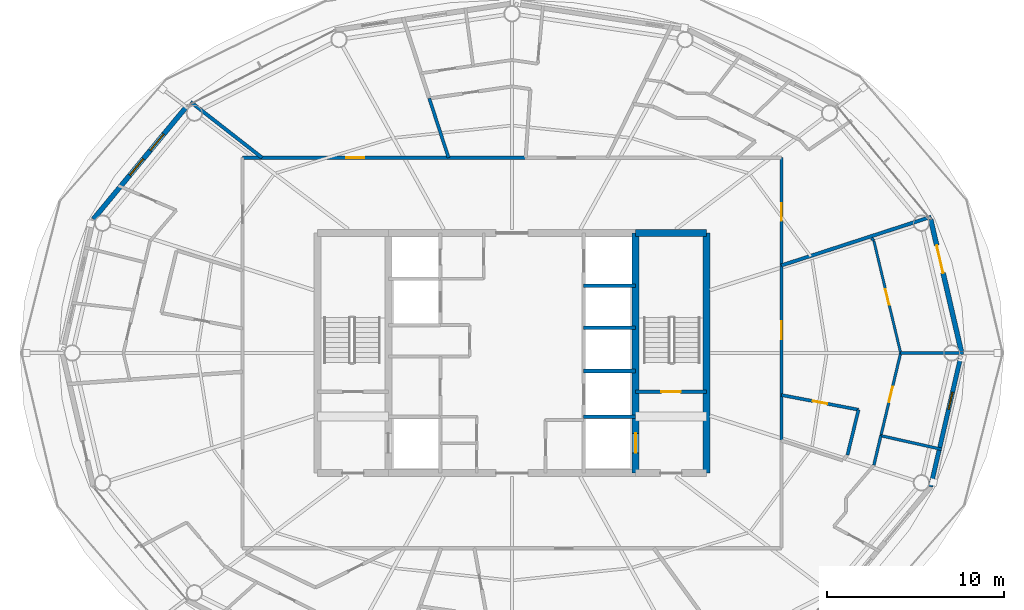
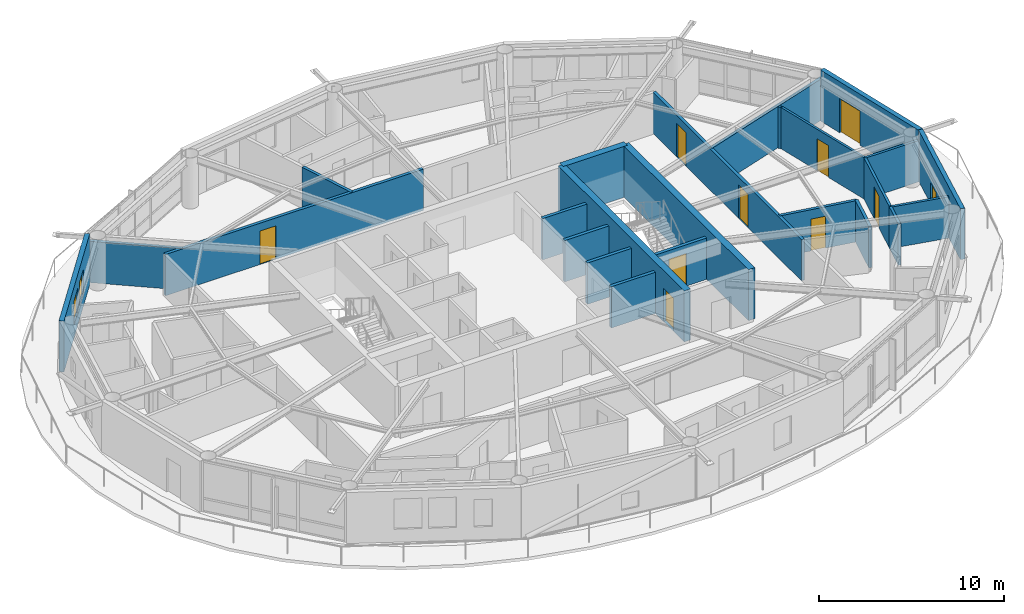
# One storey, part 18 of 23: 24 walls, 9 doors, 3 windows, 12 openings.
"""IFC4 building model written with IfcOpenShell, lengths in metres."""

from ifc_helpers import new_model, si_unit, direction, frame, frame_2d, origin, place, context, subcontext, project, spatial, rectangle, extrude, material, layer, layer_set, type_object, element, fill, save


model = new_model("IFC4")

# Units and contexts
model_context = context("Model", 3, precision=1e-05, world=origin(), true_north=direction((0.0, 1.0)))
body_context = subcontext(model_context, "Body", "Model", "MODEL_VIEW")
ifc_project = project(units=[si_unit("LENGTHUNIT", "METRE"), si_unit("AREAUNIT", "SQUARE_METRE"), si_unit("VOLUMEUNIT", "CUBIC_METRE"), si_unit("PLANEANGLEUNIT", "RADIAN"), si_unit("MASSUNIT", "GRAM", prefix="KILO")], contexts=[model_context])

# Site, building, storey
site_placement = place(None, origin())
site = spatial("IfcSite", under=ifc_project, at=site_placement, CompositionType="ELEMENT")
building_placement = place(site_placement, origin())
building = spatial("IfcBuilding", under=site, at=building_placement, Name="Sarneth Arch Tower", CompositionType="ELEMENT")
storey_placement = place(building_placement, frame((0.0, 0.0, 220.800048828125)))
storey = spatial("IfcBuildingStorey", under=building, at=storey_placement, Name="L56", CompositionType="ELEMENT", Elevation=220.800048828125)

# Walls
ifc_material_1 = material(Name="Concrete C50/60", Category="concrete")
ifc_layer_1 = layer(ifc_material_1, 0.39990234375)
ifc_layer_set_1 = layer_set([ifc_layer_1], Name="Concrete C50/60")
wall_type_1 = type_object("IfcWallType", Name="WALL-CORE-400", PredefinedType="SHEAR", material=ifc_layer_set_1)
wall_1_placement = place(storey_placement, frame((55.0, 48.800048828125, 0.0), z_axis=(0.0, 0.0, 1.0), x_axis=(1.0, 0.0, 0.0)))
element("IfcWall", 1, at=wall_1_placement, inside=storey, type_object=wall_type_1, Name="L56 Core shear wall N-E", PredefinedType="SHEAR", context=body_context, shape_type="SweptSolid", body=[
    extrude(rectangle(XDim=4.0, YDim=0.39990234375, at=frame_2d((2.0, 0.0))), origin(), (0.0, 0.0, 1.0), 3.35986328125),
])
wall_2_placement = place(storey_placement, frame((59.0, 35.199951171875, 0.0), z_axis=(0.0, 0.0, 1.0), x_axis=(0.0, 1.0, 0.0)))
element("IfcWall", 2, at=wall_2_placement, inside=storey, type_object=wall_type_1, Name="L56 Core shear wall E", PredefinedType="SHEAR", context=body_context, shape_type="SweptSolid", body=[
    extrude(rectangle(XDim=13.60009765625, YDim=0.39990234375, at=frame_2d((6.800048828125, 0.0))), origin(), (0.0, 0.0, 1.0), 3.35986328125),
])

# Wall, opening, door
wall_3_placement = place(storey_placement, frame((55.0, 35.199951171875, 0.0), z_axis=(0.0, 0.0, 1.0), x_axis=(0.0, 1.0, 0.0)))
wall_3 = element("IfcWall", 3, at=wall_3_placement, inside=storey, type_object=wall_type_1, Name="L56 Core shear wall WEB-E", PredefinedType="SHEAR", context=body_context, shape_type="SweptSolid", body=[
    extrude(rectangle(XDim=13.60009765625, YDim=0.39990234375, at=frame_2d((6.800048828125, 0.0))), origin(), (0.0, 0.0, 1.0), 3.35986328125),
])
opening_1_placement = place(wall_3_placement, frame((1.14990234375, 0.0, 0.0)))
opening_1 = element("IfcOpeningElement", 4, at=opening_1_placement, cuts=wall_3, Name="Opening LD-1", PredefinedType="OPENING", context=body_context, shape_type="SweptSolid", body=[
    extrude(rectangle(XDim=1.10009765625, YDim=2.199951171875, at=frame_2d((0.550048828125, 1.10009765625))), frame((0.0, 0.2099609375, 0.0), z_axis=(0.0, -1.0, 0.0), x_axis=(1.0, 0.0, 0.0)), (0.0, 0.0, 1.0), 0.419921875),
])
ifc_material_2 = material(Name="Brushed Stainless Steel 304 lift landing door", Category="steel")
door_type_1 = type_object("IfcDoorType", Name="DR-LIFT-SLIDE-1100", OperationType="SLIDING_TO_LEFT", PredefinedType="DOOR", material=ifc_material_2)
door_1_placement = place(opening_1_placement, origin())
door_1 = element("IfcDoor", 5, at=door_1_placement, inside=storey, type_object=door_type_1, Name="L56 Firefighting lift landing door FL-2", OperationType="SLIDING_TO_RIGHT", OverallHeight=2.199951171875, OverallWidth=1.10009765625, PredefinedType="DOOR", context=body_context, shape_type="SweptSolid", body=[
    extrude(rectangle(XDim=1.10009765625, YDim=2.199951171875, at=frame_2d((0.550048828125, 1.10009765625))), frame((0.0, 0.02490234375, 0.0), z_axis=(0.0, -1.0, 0.0), x_axis=(1.0, 0.0, 0.0)), (0.0, 0.0, 1.0), 0.050048828125),
])
fill(opening_1, door_1)

ifc_material_3 = material(Name="Double steel-stud corridor fire wall", Category="steel")
ifc_layer_2 = layer(ifc_material_3, 0.18994140625)
ifc_layer_set_2 = layer_set([ifc_layer_2], Name="Double steel-stud corridor fire wall")
wall_type_2 = type_object("IfcWallType", Name="WALL-CORR-190", PredefinedType="PARTITIONING", material=ifc_layer_set_2)
wall_4_placement = place(storey_placement, frame((32.75, 53.050048828125, 0.0), z_axis=(0.0, 0.0, 1.0), x_axis=(1.0, 0.0, 0.0)))
wall_4 = element("IfcWall", 6, at=wall_4_placement, inside=storey, type_object=wall_type_2, Name="L56 Interior partition W-L56-TP-006", PredefinedType="PARTITIONING", context=body_context, shape_type="SweptSolid", body=[
    extrude(rectangle(XDim=16.0546875, YDim=0.18994140625, at=frame_2d((8.02734375, 0.0))), origin(), (0.0, 0.0, 1.0), 2.719970703125),
])
opening_2_placement = place(wall_4_placement, frame((5.8740234375, 0.0, 0.0)))
opening_2 = element("IfcOpeningElement", 7, at=opening_2_placement, cuts=wall_4, Name="Opening FD-08", PredefinedType="OPENING", context=body_context, shape_type="SweptSolid", body=[
    extrude(rectangle(XDim=1.0, YDim=2.199951171875, at=frame_2d((0.5, 1.10009765625))), frame((0.0, 0.10498046875, 0.0), z_axis=(0.0, -1.0, 0.0), x_axis=(1.0, 0.0, 0.0)), (0.0, 0.0, 1.0), 0.2099609375),
])
ifc_material_4 = material(Name="Hardwood timber acoustic fire door", Category="wood")
door_type_2 = type_object("IfcDoorType", Name="DR-FD60-1000", OperationType="SINGLE_SWING_LEFT", PredefinedType="DOOR", material=ifc_material_4)
door_2_placement = place(opening_2_placement, origin())
door_2 = element("IfcDoor", 8, at=door_2_placement, inside=storey, type_object=door_type_2, Name="L56 Interior door DR-L56-RAMN-03", OperationType="SINGLE_SWING_RIGHT", OverallHeight=2.199951171875, OverallWidth=1.0, PredefinedType="DOOR", context=body_context, shape_type="SweptSolid", body=[
    extrude(rectangle(XDim=1.0, YDim=2.199951171875, at=frame_2d((0.5, 1.10009765625))), frame((0.0, 0.02490234375, 0.0), z_axis=(0.0, -1.0, 0.0), x_axis=(1.0, 0.0, 0.0)), (0.0, 0.0, 1.0), 0.050048828125),
])
fill(opening_2, door_2)

# Wall, openings, doors
wall_5_placement = place(storey_placement, frame((63.25, 53.050048828125, 0.0), z_axis=(0.0, 0.0, 1.0), x_axis=(0.0, -1.0, 0.0)))
wall_5 = element("IfcWall", 9, at=wall_5_placement, inside=storey, type_object=wall_type_2, Name="L56 Interior partition W-L56-TP-019", PredefinedType="PARTITIONING", context=body_context, shape_type="SweptSolid", body=[
    extrude(rectangle(XDim=16.03857421875, YDim=0.18994140625, at=frame_2d((8.019287109375, 0.0))), origin(), (0.0, 0.0, 1.0), 2.719970703125),
])
opening_3_placement = place(wall_5_placement, frame((9.2626953125, 0.0, 0.0)))
opening_3 = element("IfcOpeningElement", 10, at=opening_3_placement, cuts=wall_5, Name="Opening FD-08", PredefinedType="OPENING", context=body_context, shape_type="SweptSolid", body=[
    extrude(rectangle(XDim=1.0, YDim=2.199951171875, at=frame_2d((0.5, 1.10009765625))), frame((0.0, 0.10498046875, 0.0), z_axis=(0.0, -1.0, 0.0), x_axis=(1.0, 0.0, 0.0)), (0.0, 0.0, 1.0), 0.2099609375),
])
opening_4_placement = place(wall_5_placement, frame((2.564208984375, 0.0, 0.0)))
opening_4 = element("IfcOpeningElement", 11, at=opening_4_placement, cuts=wall_5, Name="Opening FD-08", PredefinedType="OPENING", context=body_context, shape_type="SweptSolid", body=[
    extrude(rectangle(XDim=1.0, YDim=2.199951171875, at=frame_2d((0.5, 1.10009765625))), frame((0.0, 0.10498046875, 0.0), z_axis=(0.0, -1.0, 0.0), x_axis=(1.0, 0.0, 0.0)), (0.0, 0.0, 1.0), 0.2099609375),
])
door_3_placement = place(opening_3_placement, origin())
door_3 = element("IfcDoor", 12, at=door_3_placement, inside=storey, type_object=door_type_2, Name="L56 Interior door DR-L56-U7-ENT", OperationType="SINGLE_SWING_LEFT", OverallHeight=2.199951171875, OverallWidth=1.0, PredefinedType="DOOR", context=body_context, shape_type="SweptSolid", body=[
    extrude(rectangle(XDim=1.0, YDim=2.199951171875, at=frame_2d((0.5, 1.10009765625))), frame((0.0, 0.02490234375, 0.0), z_axis=(0.0, -1.0, 0.0), x_axis=(1.0, 0.0, 0.0)), (0.0, 0.0, 1.0), 0.050048828125),
])
fill(opening_3, door_3)
door_4_placement = place(opening_4_placement, origin())
door_4 = element("IfcDoor", 13, at=door_4_placement, inside=storey, type_object=door_type_2, Name="L56 Interior door DR-L56-U1-ENT", OperationType="SINGLE_SWING_LEFT", OverallHeight=2.199951171875, OverallWidth=1.0, PredefinedType="DOOR", context=body_context, shape_type="SweptSolid", body=[
    extrude(rectangle(XDim=1.0, YDim=2.199951171875, at=frame_2d((0.5, 1.10009765625))), frame((0.0, 0.02490234375, 0.0), z_axis=(0.0, -1.0, 0.0), x_axis=(1.0, 0.0, 0.0)), (0.0, 0.0, 1.0), 0.050048828125),
])
fill(opening_4, door_4)

# Wall, opening, window
ifc_material_5 = material(Name="Extruded terracotta rainscreen on Concrete C40/50 backing", Category="masonry")
ifc_layer_3 = layer(ifc_material_5, 0.25)
ifc_layer_set_3 = layer_set([ifc_layer_3], Name="Extruded terracotta rainscreen on Concrete C40/50 backing")
wall_type_3 = type_object("IfcWallType", Name="WALL-EXT-SPAND-250", PredefinedType="SOLIDWALL", material=ifc_layer_set_3)
wall_6_placement = place(storey_placement, frame((71.69384765625, 34.430419921875, 0.0), z_axis=(0.0, 0.0, 1.0), x_axis=(0.225635078214, 0.974211892495, 0.0)))
wall_6 = element("IfcWall", 14, at=wall_6_placement, inside=storey, type_object=wall_type_3, Name="L56 Terracotta perimeter wall 16", PredefinedType="SOLIDWALL", context=body_context, shape_type="SweptSolid", body=[
    extrude(rectangle(XDim=7.77001953125, YDim=0.25, at=frame_2d((3.885009765625, 0.0))), origin(), (0.0, 0.0, 1.0), 3.35986328125),
])
opening_5_placement = place(wall_6_placement, frame((4.493896484375, 0.0, 0.35009765625)))
opening_5 = element("IfcOpeningElement", 15, at=opening_5_placement, cuts=wall_6, Name="Opening W-14", PredefinedType="OPENING", context=body_context, shape_type="SweptSolid", body=[
    extrude(rectangle(XDim=1.0, YDim=1.050048828125, at=frame_2d((0.5, 0.52490234375))), frame((0.0, 0.135009765625, 0.0), z_axis=(0.0, -1.0, 0.0), x_axis=(1.0, 0.0, 0.0)), (0.0, 0.0, 1.0), 0.27001953125),
])
ifc_material_6 = material(Name="Thermally broken Aluminium 6063-T6 and low-e laminated IGU", Category="aluminium")
window_type_1 = type_object("IfcWindowType", Name="WIN-TWR-1000x1050", PartitioningType="SINGLE_PANEL", PredefinedType="WINDOW", material=ifc_material_6)
window_1_placement = place(opening_5_placement, origin())
window_1 = element("IfcWindow", 16, at=window_1_placement, inside=storey, type_object=window_type_1, Name="L56 Dwelling bedroom window 05", OverallHeight=1.050048828125, OverallWidth=1.0, PartitioningType="SINGLE_PANEL", PredefinedType="WINDOW", context=body_context, shape_type="SweptSolid", body=[
    extrude(rectangle(XDim=1.0, YDim=1.050048828125, at=frame_2d((0.5, 0.52490234375))), frame((0.0, 0.030029296875, 0.0), z_axis=(0.0, -1.0, 0.0), x_axis=(1.0, 0.0, 0.0)), (0.0, 0.0, 1.0), 0.06005859375),
])
fill(opening_5, window_1)

# Wall, opening, door
ifc_material_7 = material(Name="Extruded terracotta rainscreen on Concrete C40/50 backing", Category="masonry")
ifc_layer_4 = layer(ifc_material_7, 0.280029296875)
ifc_layer_set_4 = layer_set([ifc_layer_4], Name="Extruded terracotta rainscreen on Concrete C40/50 backing")
wall_type_4 = type_object("IfcWallType", Name="WALL-EXT-TERRA-280", PredefinedType="SOLIDWALL", material=ifc_layer_set_4)
wall_7_placement = place(storey_placement, frame((73.447021484375, 42.0, 0.0), z_axis=(0.0, 0.0, 1.0), x_axis=(-0.225635078214, 0.974211892495, 0.0)))
wall_7 = element("IfcWall", 17, at=wall_7_placement, inside=storey, type_object=wall_type_4, Name="L56 Terracotta perimeter wall 01", PredefinedType="SOLIDWALL", context=body_context, shape_type="SweptSolid", body=[
    extrude(rectangle(XDim=7.77001953125, YDim=0.280029296875, at=frame_2d((3.885009765625, 0.0))), origin(), (0.0, 0.0, 1.0), 3.35986328125),
])
opening_6_placement = place(wall_7_placement, frame((4.64208984375, 0.0, 0.0)))
opening_6 = element("IfcOpeningElement", 18, at=opening_6_placement, cuts=wall_7, Name="Opening BD-1", PredefinedType="OPENING", context=body_context, shape_type="SweptSolid", body=[
    extrude(rectangle(XDim=1.60009765625, YDim=2.25, at=frame_2d((0.800048828125, 1.125))), frame((0.0, 0.14990234375, 0.0), z_axis=(0.0, -1.0, 0.0), x_axis=(1.0, 0.0, 0.0)), (0.0, 0.0, 1.0), 0.300048828125),
])
ifc_material_8 = material(Name="Thermally broken Aluminium 6063-T6 and laminated safety glass", Category="aluminium")
door_type_3 = type_object("IfcDoorType", Name="DR-BALC-GLZ-1600", OperationType="DOUBLE_DOOR_SINGLE_SWING", PredefinedType="DOOR", material=ifc_material_8)
door_5_placement = place(opening_6_placement, origin())
door_5 = element("IfcDoor", 19, at=door_5_placement, inside=storey, type_object=door_type_3, Name="L56 Balcony glazed door 01", OperationType="DOUBLE_DOOR_SINGLE_SWING", OverallHeight=2.25, OverallWidth=1.60009765625, PredefinedType="DOOR", context=body_context, shape_type="SweptSolid", body=[
    extrude(rectangle(XDim=1.60009765625, YDim=2.25, at=frame_2d((0.800048828125, 1.125))), frame((0.0, 0.02490234375, 0.0), z_axis=(0.0, -1.0, 0.0), x_axis=(1.0, 0.0, 0.0)), (0.0, 0.0, 1.0), 0.050048828125),
])
fill(opening_6, door_5)

# Wall, openings, windows
wall_8_placement = place(storey_placement, frame((29.617431640625, 55.986572265625, 0.0), z_axis=(0.0, 0.0, 1.0), x_axis=(-0.63761509934, -0.770355103243, 0.0)))
wall_8 = element("IfcWall", 20, at=wall_8_placement, inside=storey, type_object=wall_type_4, Name="L56 Terracotta perimeter wall 07", PredefinedType="SOLIDWALL", context=body_context, shape_type="SweptSolid", body=[
    extrude(rectangle(XDim=8.329833984375, YDim=0.280029296875, at=frame_2d((4.1650390625, 0.0))), origin(), (0.0, 0.0, 1.0), 3.35986328125),
])
opening_7_placement = place(wall_8_placement, frame((2.07421875, 0.0, 0.85009765625)))
opening_7 = element("IfcOpeningElement", 21, at=opening_7_placement, cuts=wall_8, Name="Opening W-10", PredefinedType="OPENING", context=body_context, shape_type="SweptSolid", body=[
    extrude(rectangle(XDim=1.199951171875, YDim=1.60009765625, at=frame_2d((0.60009765625, 0.800048828125))), frame((0.0, 0.14990234375, 0.0), z_axis=(0.0, -1.0, 0.0), x_axis=(1.0, 0.0, 0.0)), (0.0, 0.0, 1.0), 0.300048828125),
])
opening_8_placement = place(wall_8_placement, frame((3.892333984375, 0.0, 0.85009765625)))
opening_8 = element("IfcOpeningElement", 22, at=opening_8_placement, cuts=wall_8, Name="Opening W-10", PredefinedType="OPENING", context=body_context, shape_type="SweptSolid", body=[
    extrude(rectangle(XDim=1.199951171875, YDim=1.60009765625, at=frame_2d((0.60009765625, 0.800048828125))), frame((0.0, 0.14990234375, 0.0), z_axis=(0.0, -1.0, 0.0), x_axis=(1.0, 0.0, 0.0)), (0.0, 0.0, 1.0), 0.300048828125),
])
ifc_material_9 = material(Name="Thermally broken Aluminium 6063-T6 and low-e laminated IGU", Category="aluminium")
window_type_2 = type_object("IfcWindowType", Name="WIN-TWR-1200x1600", PartitioningType="SINGLE_PANEL", PredefinedType="WINDOW", material=ifc_material_9)
window_2_placement = place(opening_7_placement, origin())
window_2 = element("IfcWindow", 23, at=window_2_placement, inside=storey, type_object=window_type_2, Name="L56 Exterior window 07A", OverallHeight=1.60009765625, OverallWidth=1.199951171875, PartitioningType="SINGLE_PANEL", PredefinedType="WINDOW", context=body_context, shape_type="SweptSolid", body=[
    extrude(rectangle(XDim=1.199951171875, YDim=1.60009765625, at=frame_2d((0.60009765625, 0.800048828125))), frame((0.0, 0.030029296875, 0.0), z_axis=(0.0, -1.0, 0.0), x_axis=(1.0, 0.0, 0.0)), (0.0, 0.0, 1.0), 0.06005859375),
])
fill(opening_7, window_2)
window_3_placement = place(opening_8_placement, origin())
window_3 = element("IfcWindow", 24, at=window_3_placement, inside=storey, type_object=window_type_2, Name="L56 Exterior window 07B", OverallHeight=1.60009765625, OverallWidth=1.199951171875, PartitioningType="SINGLE_PANEL", PredefinedType="WINDOW", context=body_context, shape_type="SweptSolid", body=[
    extrude(rectangle(XDim=1.199951171875, YDim=1.60009765625, at=frame_2d((0.60009765625, 0.800048828125))), frame((0.0, 0.030029296875, 0.0), z_axis=(0.0, -1.0, 0.0), x_axis=(1.0, 0.0, 0.0)), (0.0, 0.0, 1.0), 0.06005859375),
])
fill(opening_8, window_3)

# Wall, opening, door
ifc_material_10 = material(Name="Apartment internal stud partition", Category="gypsum")
ifc_layer_5 = layer(ifc_material_10, 0.139892578125)
ifc_layer_set_5 = layer_set([ifc_layer_5], Name="Apartment internal stud partition")
wall_type_5 = type_object("IfcWallType", Name="WALL-PART-140", PredefinedType="PARTITIONING", material=ifc_layer_set_5)
wall_9_placement = place(storey_placement, frame((69.996337890625, 42.0, 0.0), z_axis=(0.0, 0.0, 1.0), x_axis=(-0.232298462197, 0.972644551962, 0.0)))
wall_9 = element("IfcWall", 25, at=wall_9_placement, inside=storey, type_object=wall_type_5, Name="L56 Interior partition W-L56-TP-104", PredefinedType="PARTITIONING", context=body_context, shape_type="SweptSolid", body=[
    extrude(rectangle(XDim=6.5234375, YDim=0.139892578125, at=frame_2d((3.26171875, 0.0))), origin(), (0.0, 0.0, 1.0), 2.719970703125),
])
opening_9_placement = place(wall_9_placement, frame((2.811767578125, 0.0, 0.0)))
opening_9 = element("IfcOpeningElement", 26, at=opening_9_placement, cuts=wall_9, Name="Opening ID-01", PredefinedType="OPENING", context=body_context, shape_type="SweptSolid", body=[
    extrude(rectangle(XDim=0.89990234375, YDim=2.10009765625, at=frame_2d((0.449951171875, 1.050048828125))), frame((0.0, 0.079833984375, 0.0), z_axis=(0.0, -1.0, 0.0), x_axis=(1.0, 0.0, 0.0)), (0.0, 0.0, 1.0), 0.159912109375),
])
ifc_material_11 = material(Name="Engineered hardwood flush door", Category="wood")
door_type_4 = type_object("IfcDoorType", Name="DR-INT-900", OperationType="SINGLE_SWING_LEFT", PredefinedType="DOOR", material=ifc_material_11)
door_6_placement = place(opening_9_placement, origin())
door_6 = element("IfcDoor", 27, at=door_6_placement, inside=storey, type_object=door_type_4, Name="L56 Interior door DR-L56-U7-BED2", OperationType="SINGLE_SWING_RIGHT", OverallHeight=2.10009765625, OverallWidth=0.89990234375, PredefinedType="DOOR", context=body_context, shape_type="SweptSolid", body=[
    extrude(rectangle(XDim=0.89990234375, YDim=2.10009765625, at=frame_2d((0.449951171875, 1.050048828125))), frame((0.0, 0.02490234375, 0.0), z_axis=(0.0, -1.0, 0.0), x_axis=(1.0, 0.0, 0.0)), (0.0, 0.0, 1.0), 0.050048828125),
])
fill(opening_9, door_6)

# Wall
wall_10_placement = place(storey_placement, frame((68.468017578125, 48.360107421875, 0.0), z_axis=(0.0, 0.0, 1.0), x_axis=(-0.649065422773, 0.760732592282, 0.0)))
element("IfcWall", 28, at=wall_10_placement, inside=storey, type_object=wall_type_5, Name="L56 Interior partition W-L56-TP-105", PredefinedType="PARTITIONING", context=body_context, shape_type="SweptSolid", body=[
    extrude(rectangle(XDim=0.1748046875, YDim=0.139892578125, at=frame_2d((0.08740234375, 0.0))), origin(), (0.0, 0.0, 1.0), 2.719970703125),
])

# Wall, opening, door
ifc_material_12 = material(Name="Acoustic gypsum stud partition", Category="gypsum")
ifc_layer_6 = layer(ifc_material_12, 0.14990234375)
ifc_layer_set_6 = layer_set([ifc_layer_6], Name="Acoustic gypsum stud partition")
wall_type_6 = type_object("IfcWallType", Name="WALL-PART-150", PredefinedType="PARTITIONING", material=ifc_layer_set_6)
wall_11_placement = place(storey_placement, frame((68.878173828125, 37.318603515625, 0.0), z_axis=(0.0, 0.0, 1.0), x_axis=(0.232317655908, 0.972639967693, 0.0)))
wall_11 = element("IfcWall", 29, at=wall_11_placement, inside=storey, type_object=wall_type_6, Name="L56 Interior partition W-L56-TP-103", PredefinedType="PARTITIONING", context=body_context, shape_type="SweptSolid", body=[
    extrude(rectangle(XDim=4.81298828125, YDim=0.14990234375, at=frame_2d((2.406494140625, 0.0))), origin(), (0.0, 0.0, 1.0), 2.719970703125),
])
opening_10_placement = place(wall_11_placement, frame((1.95654296875, 0.0, 0.0)))
opening_10 = element("IfcOpeningElement", 30, at=opening_10_placement, cuts=wall_11, Name="Opening ID-01", PredefinedType="OPENING", context=body_context, shape_type="SweptSolid", body=[
    extrude(rectangle(XDim=0.89990234375, YDim=2.10009765625, at=frame_2d((0.449951171875, 1.050048828125))), frame((0.0, 0.0849609375, 0.0), z_axis=(0.0, -1.0, 0.0), x_axis=(1.0, 0.0, 0.0)), (0.0, 0.0, 1.0), 0.169921875),
])
door_7_placement = place(opening_10_placement, origin())
door_7 = element("IfcDoor", 31, at=door_7_placement, inside=storey, type_object=door_type_4, Name="L56 Interior door DR-L56-U7-BED1", OperationType="SINGLE_SWING_LEFT", OverallHeight=2.10009765625, OverallWidth=0.89990234375, PredefinedType="DOOR", context=body_context, shape_type="SweptSolid", body=[
    extrude(rectangle(XDim=0.89990234375, YDim=2.10009765625, at=frame_2d((0.449951171875, 1.050048828125))), frame((0.0, 0.02490234375, 0.0), z_axis=(0.0, -1.0, 0.0), x_axis=(1.0, 0.0, 0.0)), (0.0, 0.0, 1.0), 0.050048828125),
])
fill(opening_10, door_7)

# Walls
wall_12_placement = place(storey_placement, frame((69.996337890625, 42.0, 0.0), z_axis=(0.0, 0.0, 1.0), x_axis=(1.0, 0.0, 0.0)))
element("IfcWall", 32, at=wall_12_placement, inside=storey, type_object=wall_type_6, Name="L56 Interior partition W-L56-TP-107", PredefinedType="PARTITIONING", context=body_context, shape_type="SweptSolid", body=[
    extrude(rectangle(XDim=3.570556640625, YDim=0.14990234375, at=frame_2d((1.78515625, 0.0))), origin(), (0.0, 0.0, 1.0), 2.719970703125),
])
ifc_material_13 = material(Name="Kitchen wet service chase wall", Category="gypsum")
ifc_layer_7 = layer(ifc_material_13, 0.159912109375)
ifc_layer_set_7 = layer_set([ifc_layer_7], Name="Kitchen wet service chase wall")
wall_type_7 = type_object("IfcWallType", Name="WALL-PLUMB-160", PredefinedType="PLUMBINGWALL", material=ifc_layer_set_7)
wall_13_placement = place(storey_placement, frame((72.3076171875, 36.549560546875, 0.0), z_axis=(0.0, 0.0, 1.0), x_axis=(-0.975766823268, 0.218812948907, 0.0)))
element("IfcWall", 33, at=wall_13_placement, inside=storey, type_object=wall_type_7, Name="L56 Interior partition W-L56-TP-106", PredefinedType="PLUMBINGWALL", context=body_context, shape_type="SweptSolid", body=[
    extrude(rectangle(XDim=3.5146484375, YDim=0.159912109375, at=frame_2d((1.75732421875, 0.0))), origin(), (0.0, 0.0, 1.0), 2.719970703125),
])
wall_14_placement = place(storey_placement, frame((68.48095703125, 35.655029296875, 0.0), z_axis=(0.0, 0.0, 1.0), x_axis=(0.232244448499, 0.972657450566, 0.0)))
element("IfcWall", 34, at=wall_14_placement, inside=storey, type_object=wall_type_7, Name="L56 Interior partition W-L56-TP-098", PredefinedType="PLUMBINGWALL", context=body_context, shape_type="SweptSolid", body=[
    extrude(rectangle(XDim=1.71044921875, YDim=0.159912109375, at=frame_2d((0.855224609375, 0.0))), origin(), (0.0, 0.0, 1.0), 2.719970703125),
])

# Wall, opening, door
ifc_material_14 = material(Name="Moisture-resistant plumbing chase wall", Category="gypsum")
ifc_layer_8 = layer(ifc_material_14, 0.179931640625)
ifc_layer_set_8 = layer_set([ifc_layer_8], Name="Moisture-resistant plumbing chase wall")
wall_type_8 = type_object("IfcWallType", Name="WALL-PLUMB-180", PredefinedType="PLUMBINGWALL", material=ifc_layer_set_8)
wall_15_placement = place(storey_placement, frame((67.61083984375, 38.789306640625, 0.0), z_axis=(0.0, 0.0, 1.0), x_axis=(-0.982402054119, 0.186778489295, 0.0)))
wall_15 = element("IfcWall", 35, at=wall_15_placement, inside=storey, type_object=wall_type_8, Name="L56 Interior partition W-L56-TP-102", PredefinedType="PLUMBINGWALL", context=body_context, shape_type="SweptSolid", body=[
    extrude(rectangle(XDim=4.43896484375, YDim=0.179931640625, at=frame_2d((2.219482421875, 0.0))), origin(), (0.0, 0.0, 1.0), 2.719970703125),
])
opening_11_placement = place(wall_15_placement, frame((1.79443359375, 0.0, 0.0)))
opening_11 = element("IfcOpeningElement", 36, at=opening_11_placement, cuts=wall_15, Name="Opening ID-02", PredefinedType="OPENING", context=body_context, shape_type="SweptSolid", body=[
    extrude(rectangle(XDim=0.85009765625, YDim=2.10009765625, at=frame_2d((0.425048828125, 1.050048828125))), frame((0.0, 0.099853515625, 0.0), z_axis=(0.0, -1.0, 0.0), x_axis=(1.0, 0.0, 0.0)), (0.0, 0.0, 1.0), 0.199951171875),
])
ifc_material_15 = material(Name="Moisture-resistant bathroom timber door", Category="wood")
door_type_5 = type_object("IfcDoorType", Name="DR-INT-850", OperationType="SINGLE_SWING_RIGHT", PredefinedType="DOOR", material=ifc_material_15)
door_8_placement = place(opening_11_placement, origin())
door_8 = element("IfcDoor", 37, at=door_8_placement, inside=storey, type_object=door_type_5, Name="L56 Interior door DR-L56-U7-BATH", OperationType="SINGLE_SWING_LEFT", OverallHeight=2.10009765625, OverallWidth=0.85009765625, PredefinedType="DOOR", context=body_context, shape_type="SweptSolid", body=[
    extrude(rectangle(XDim=0.85009765625, YDim=2.10009765625, at=frame_2d((0.425048828125, 1.050048828125))), frame((0.0, 0.02490234375, 0.0), z_axis=(0.0, -1.0, 0.0), x_axis=(1.0, 0.0, 0.0)), (0.0, 0.0, 1.0), 0.050048828125),
])
fill(opening_11, door_8)

# Walls
wall_16_placement = place(storey_placement, frame((44.40966796875, 53.050048828125, 0.0), z_axis=(0.0, 0.0, 1.0), x_axis=(-0.309025133622, 0.951053871655, 0.0)))
element("IfcWall", 38, at=wall_16_placement, inside=storey, type_object=wall_type_8, Name="L56 Interior partition W-L56-TP-050", PredefinedType="PLUMBINGWALL", context=body_context, shape_type="SweptSolid", body=[
    extrude(rectangle(XDim=3.532958984375, YDim=0.179931640625, at=frame_2d((1.7666015625, 0.0))), origin(), (0.0, 0.0, 1.0), 2.719970703125),
])
wall_17_placement = place(storey_placement, frame((66.987548828125, 36.22900390625, 0.0), z_axis=(0.0, 0.0, 1.0), x_axis=(0.236535980753, 0.971622730183, 0.0)))
element("IfcWall", 39, at=wall_17_placement, inside=storey, type_object=wall_type_8, Name="L56 Interior partition W-L56-TP-101", PredefinedType="PLUMBINGWALL", context=body_context, shape_type="SweptSolid", body=[
    extrude(rectangle(XDim=2.635009765625, YDim=0.179931640625, at=frame_2d((1.3173828125, 0.0))), origin(), (0.0, 0.0, 1.0), 2.719970703125),
])

# Wall, opening, door
ifc_material_16 = material(Name="Aerated concrete blockwork C25/30", Category="masonry")
ifc_layer_9 = layer(ifc_material_16, 0.199951171875)
ifc_layer_set_9 = layer_set([ifc_layer_9], Name="Aerated concrete blockwork C25/30")
wall_type_9 = type_object("IfcWallType", Name="WALL-SHAFT-200", PredefinedType="SOLIDWALL", material=ifc_layer_set_9)
wall_18_placement = place(storey_placement, frame((55.0, 39.800048828125, 0.0), z_axis=(0.0, 0.0, 1.0), x_axis=(1.0, 0.0, 0.0)))
wall_18 = element("IfcWall", 40, at=wall_18_placement, inside=storey, type_object=wall_type_9, Name="L56 Interior partition W-L56-ST2-S", PredefinedType="SOLIDWALL", context=body_context, shape_type="SweptSolid", body=[
    extrude(rectangle(XDim=4.0, YDim=0.199951171875, at=frame_2d((2.0, 0.0))), origin(), (0.0, 0.0, 1.0), 2.719970703125),
])
opening_12_placement = place(wall_18_placement, frame((1.449951171875, 0.0, 0.0)))
opening_12 = element("IfcOpeningElement", 41, at=opening_12_placement, cuts=wall_18, Name="Opening FD-03", PredefinedType="OPENING", context=body_context, shape_type="SweptSolid", body=[
    extrude(rectangle(XDim=1.10009765625, YDim=2.14990234375, at=frame_2d((0.550048828125, 1.074951171875))), frame((0.0, 0.10986328125, 0.0), z_axis=(0.0, -1.0, 0.0), x_axis=(1.0, 0.0, 0.0)), (0.0, 0.0, 1.0), 0.219970703125),
])
ifc_material_17 = material(Name="Galvanised Steel S275 fire door set", Category="steel")
door_type_6 = type_object("IfcDoorType", Name="DR-FD90-1100", OperationType="SINGLE_SWING_LEFT", PredefinedType="DOOR", material=ifc_material_17)
door_9_placement = place(opening_12_placement, origin())
door_9 = element("IfcDoor", 42, at=door_9_placement, inside=storey, type_object=door_type_6, Name="L56 Interior door DR-L56-ST2", OperationType="SINGLE_SWING_RIGHT", OverallHeight=2.14990234375, OverallWidth=1.10009765625, PredefinedType="DOOR", context=body_context, shape_type="SweptSolid", body=[
    extrude(rectangle(XDim=1.10009765625, YDim=2.14990234375, at=frame_2d((0.550048828125, 1.074951171875))), frame((0.0, 0.02490234375, 0.0), z_axis=(0.0, -1.0, 0.0), x_axis=(1.0, 0.0, 0.0)), (0.0, 0.0, 1.0), 0.050048828125),
])
fill(opening_12, door_9)

# Walls
for number, where, z_axis, x_axis, name in (
    (43, (52.050048828125, 38.39990234375, 0.0), (0.0, 0.0, 1.0), (1.0, 0.0, 0.0), "L56 Interior partition W-L56-FL2-N"),
    (44, (52.050048828125, 40.97998046875, 0.0), (0.0, 0.0, 1.0), (1.0, 0.0, 0.0), "L56 Interior partition W-L56-EB-DIV-4098"),
    (45, (52.050048828125, 43.419921875, 0.0), (0.0, 0.0, 1.0), (1.0, 0.0, 0.0), "L56 Interior partition W-L56-EB-DIV-4342"),
    (46, (52.050048828125, 45.800048828125, 0.0), (0.0, 0.0, 1.0), (1.0, 0.0, 0.0), "L56 Interior partition W-L56-EB-DIV-4580"),
):
    element("IfcWall", number, at=place(storey_placement, frame(where, z_axis=z_axis, x_axis=x_axis)), inside=storey, type_object=wall_type_9, Name=name, PredefinedType="SOLIDWALL", context=body_context, shape_type="SweptSolid", body=[
        extrude(rectangle(XDim=2.949951171875, YDim=0.199951171875, at=frame_2d((1.47509765625, 0.0))), origin(), (0.0, 0.0, 1.0), 2.719970703125),
    ])
ifc_material_18 = material(Name="Double steel-stud acoustic drywall", Category="steel")
ifc_layer_10 = layer(ifc_material_18, 0.199951171875)
ifc_layer_set_10 = layer_set([ifc_layer_10], Name="Double steel-stud acoustic drywall")
wall_type_10 = type_object("IfcWallType", Name="WALL-UNIT-200", PredefinedType="PARTITIONING", material=ifc_layer_set_10)
wall_19_placement = place(storey_placement, frame((63.25, 46.955078125, 0.0), z_axis=(0.0, 0.0, 1.0), x_axis=(0.951059035429, 0.30900924117, 0.0)))
element("IfcWall", 47, at=wall_19_placement, inside=storey, type_object=wall_type_10, Name="L56 Interior partition W-L56-TP-035", PredefinedType="PARTITIONING", context=body_context, shape_type="SweptSolid", body=[
    extrude(rectangle(XDim=8.90966796875, YDim=0.199951171875, at=frame_2d((4.454833984375, 0.0))), origin(), (0.0, 0.0, 1.0), 2.719970703125),
])
wall_20_placement = place(storey_placement, frame((29.81298828125, 56.208984375, 0.0), z_axis=(0.0, 0.0, 1.0), x_axis=(0.788043849094, -0.615619112687, 0.0)))
element("IfcWall", 48, at=wall_20_placement, inside=storey, type_object=wall_type_10, Name="L56 Interior partition W-L56-TP-052", PredefinedType="PARTITIONING", context=body_context, shape_type="SweptSolid", body=[
    extrude(rectangle(XDim=5.13134765625, YDim=0.199951171875, at=frame_2d((2.565673828125, 0.0))), origin(), (0.0, 0.0, 1.0), 2.719970703125),
])

save(model, "model.ifc")
